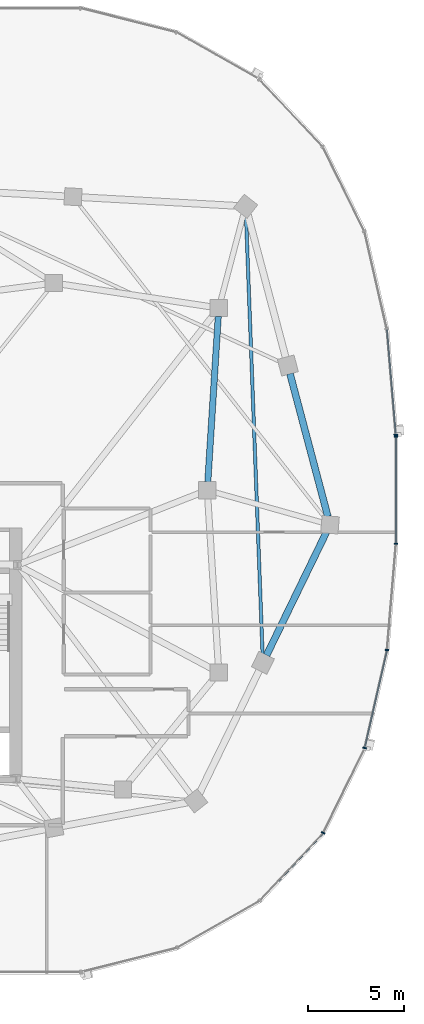
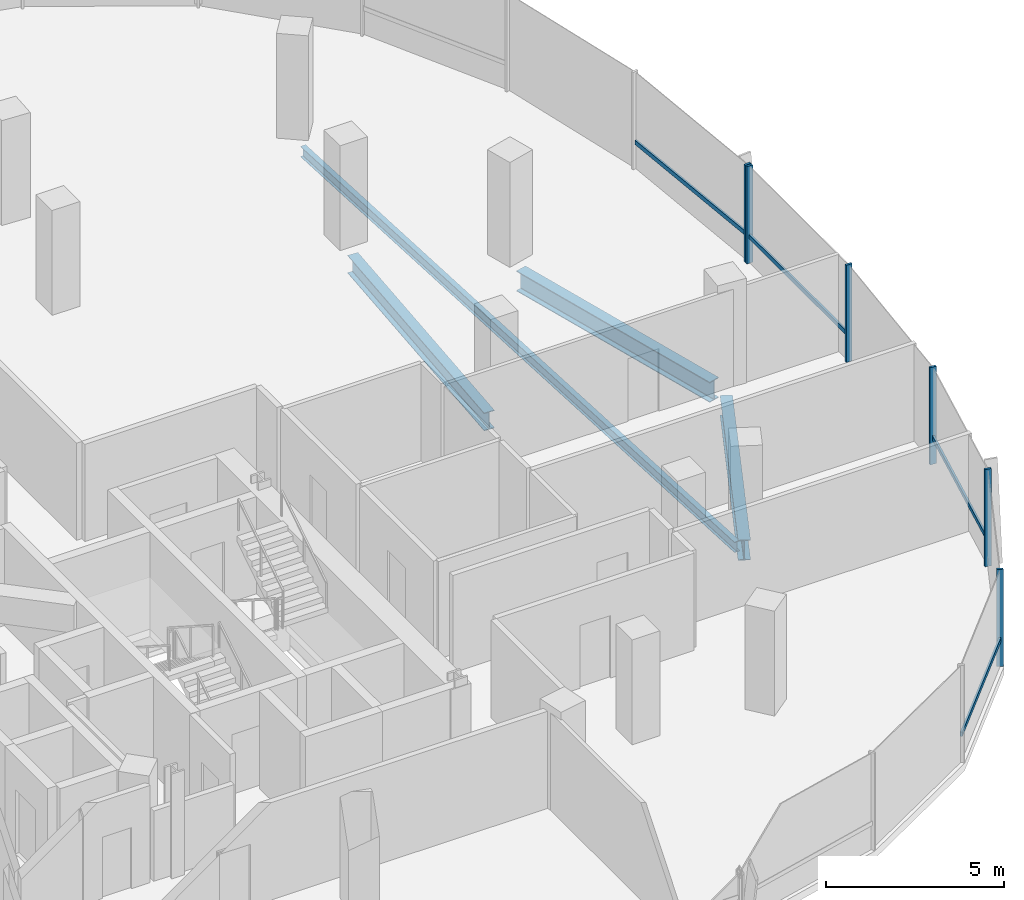
# One storey, part 10 of 25: 10 members, 4 beams, 2 elements without a shape of their own.
"""IFC4 building model written with IfcOpenShell, lengths in metres."""

from ifc_helpers import new_model, si_unit, direction, frame, origin, origin_2d, place, context, subcontext, project, spatial, rectangle, i_section, extrude, material, material_profile, profile_set, type_object, element, aggregate, save


model = new_model("IFC4")

# Units and contexts
model_context = context("Model", 3, precision=1e-05, world=origin(), true_north=direction((0.0, 1.0)))
body_context = subcontext(model_context, "Body", "Model", "MODEL_VIEW")
ifc_project = project(units=[si_unit("LENGTHUNIT", "METRE"), si_unit("AREAUNIT", "SQUARE_METRE"), si_unit("VOLUMEUNIT", "CUBIC_METRE"), si_unit("PLANEANGLEUNIT", "RADIAN"), si_unit("MASSUNIT", "GRAM", prefix="KILO"), si_unit("THERMODYNAMICTEMPERATUREUNIT", "KELVIN"), si_unit("POWERUNIT", "WATT")], contexts=[model_context])

# Site, building, storey
site_placement = place(None, origin())
site = spatial("IfcSite", under=ifc_project, at=site_placement, CompositionType="ELEMENT")
building_placement = place(site_placement, origin())
building = spatial("IfcBuilding", under=site, at=building_placement, Name="Cundina Bronze Exchange", CompositionType="ELEMENT")
storey_placement = place(building_placement, frame((0.0, 0.0, 199.0)))
storey = spatial("IfcBuildingStorey", under=building, at=storey_placement, Name="L52", CompositionType="ELEMENT", Elevation=199.0)

# Beams
ifc_material_1 = material(Name="Steel ASTM A992 Grade 50", Category="steel")
ifc_material_profile_1 = material_profile(ifc_material_1, i_section(OverallWidth=0.172119140625, OverallDepth=0.35791015625, WebThickness=0.0078125, FlangeThickness=0.01318359375, FilletRadius=0.010009765625, at=origin_2d()), Name="W14X38", Category="steel")
ifc_profile_set_1 = profile_set([ifc_material_profile_1], Name="Steel ASTM A992 Grade 50")
beam_type_1 = type_object("IfcBeamType", Name="BM-JST-W14", PredefinedType="JOIST", material=ifc_profile_set_1)
beam_1_placement = place(storey_placement, frame((44.08349609375, -8.562255859375, -0.43896484375), z_axis=(-0.037790216102, 0.999285694667, 0.0), x_axis=(-0.999285694667, -0.037790216102, 0.0)))
element("IfcBeam", 1, at=beam_1_placement, inside=storey, type_object=beam_type_1, Name="L52 Leg E Lobe Floor Joist 07-10", PredefinedType="JOIST", context=body_context, shape_type="SweptSolid", body=[
    extrude(i_section(OverallWidth=0.172119140625, OverallDepth=0.35791015625, WebThickness=0.0078125, FlangeThickness=0.01318359375, FilletRadius=0.010009765625, at=origin_2d()), origin(), (0.0, 0.0, 1.0), 22.94091796875),
])
ifc_material_profile_2 = material_profile(ifc_material_1, i_section(OverallWidth=0.324951171875, OverallDepth=0.615966796875, WebThickness=0.013916015625, FlangeThickness=0.021484375, FilletRadius=0.01611328125, at=origin_2d()), Name="W24X117", Category="steel")
ifc_profile_set_2 = profile_set([ifc_material_profile_2], Name="Steel ASTM A992 Grade 50")
beam_type_2 = type_object("IfcBeamType", Name="BM-RING-W24", PredefinedType="USERDEFINED", material=ifc_profile_set_2)
beam_2_placement = place(storey_placement, frame((41.2275390625, 0.43701171875, -0.568115234375), z_axis=(0.063046519736, 0.998010589297, 0.0), x_axis=(-0.998010589297, 0.063046519736, 0.0)))
element("IfcBeam", 2, at=beam_2_placement, inside=storey, type_object=beam_type_2, Name="L52 E Inner Structural Ring Girder 04", ObjectType="GIRDER", PredefinedType="USERDEFINED", context=body_context, shape_type="SweptSolid", body=[
    extrude(i_section(OverallWidth=0.324951171875, OverallDepth=0.615966796875, WebThickness=0.013916015625, FlangeThickness=0.021484375, FilletRadius=0.01611328125, at=origin_2d()), origin(), (0.0, 0.0, 1.0), 8.64306640625),
])
ifc_material_profile_3 = material_profile(ifc_material_1, i_section(OverallWidth=0.35498046875, OverallDepth=0.695068359375, WebThickness=0.015380859375, FlangeThickness=0.02490234375, FilletRadius=0.01806640625, at=origin_2d()), Name="W27X146", Category="steel")
ifc_profile_set_3 = profile_set([ifc_material_profile_3], Name="Steel ASTM A992 Grade 50")
beam_type_3 = type_object("IfcBeamType", Name="BM-RING-W27", PredefinedType="USERDEFINED", material=ifc_profile_set_3)
beam_3_placement = place(storey_placement, frame((44.29150390625, -8.606201171875, -0.607421875), z_axis=(0.437173087764, 0.89937739094, 0.0), x_axis=(-0.89937739094, 0.437173087764, 0.0)))
element("IfcBeam", 3, at=beam_3_placement, inside=storey, type_object=beam_type_3, Name="L52 E Perimeter Ring Girder 07", ObjectType="GIRDER", PredefinedType="USERDEFINED", context=body_context, shape_type="SweptSolid", body=[
    extrude(i_section(OverallWidth=0.35498046875, OverallDepth=0.695068359375, WebThickness=0.015380859375, FlangeThickness=0.02490234375, FilletRadius=0.01806640625, at=origin_2d()), origin(), (0.0, 0.0, 1.0), 7.1298828125),
])
beam_4_placement = place(storey_placement, frame((47.48779296875, -1.376708984375, -0.607421875), z_axis=(-0.256211934474, 0.966620631185, 0.0), x_axis=(-0.966620631185, -0.256211934474, 0.0)))
element("IfcBeam", 4, at=beam_4_placement, inside=storey, type_object=beam_type_3, Name="L52 E Perimeter Ring Girder 08", ObjectType="GIRDER", PredefinedType="USERDEFINED", context=body_context, shape_type="SweptSolid", body=[
    extrude(i_section(OverallWidth=0.35498046875, OverallDepth=0.695068359375, WebThickness=0.015380859375, FlangeThickness=0.02490234375, FilletRadius=0.01806640625, at=origin_2d()), origin(), (0.0, 0.0, 1.0), 7.710693359375),
])

# Curtain wall, member
ifc_material_2 = material(Name="Anodised Bronze Aluminium 6063-T6", Category="aluminium")
curtain_wall_type = type_object("IfcCurtainWallType", Name="CWS-UPP-OFF", PredefinedType="NOTDEFINED", material=ifc_material_2)
curtain_wall_1_placement = place(storey_placement, origin())
curtain_wall_1 = element("IfcCurtainWall", 5, at=curtain_wall_1_placement, inside=storey, type_object=curtain_wall_type, Name="L52 CW-05 Curtain Wall Run CWR-L52-E1", PredefinedType="NOTDEFINED")
ifc_material_profile_4 = material_profile(ifc_material_2, rectangle(XDim=0.070068359375, YDim=0.18994140625, at=origin_2d()), Name="AL70X190", Category="aluminium")
ifc_profile_set_4 = profile_set([ifc_material_profile_4], Name="Anodised Bronze Aluminium 6063-T6")
member_type_1 = type_object("IfcMemberType", Name="CWM-MUL-190", PredefinedType="MULLION", material=ifc_profile_set_4)
member_1_placement = place(storey_placement, frame((51.0302734375, 2.88330078125, 0.0), z_axis=(0.0, 0.0, 1.0), x_axis=(-0.083677843332, 0.99649285925, 0.0)))
member_1 = element("IfcMember", 6, at=member_1_placement, type_object=member_type_1, Name="CW-05 Mullion 1", PredefinedType="MULLION", context=body_context, shape_type="SweptSolid", body=[
    extrude(rectangle(XDim=0.070068359375, YDim=0.18994140625, at=origin_2d()), origin(), (0.0, 0.0, 1.0), 3.340087890625),
])

# Curtain wall, members
curtain_wall_2_placement = place(storey_placement, origin())
curtain_wall_2 = element("IfcCurtainWall", 7, at=curtain_wall_2_placement, inside=storey, type_object=curtain_wall_type, Name="L52 CW-05 Curtain Wall Run CWR-L52-E4", PredefinedType="NOTDEFINED")
member_2_placement = place(storey_placement, frame((47.245361328125, -17.866455078125, 0.0), z_axis=(0.0, 0.0, 1.0), x_axis=(0.440566004113, 0.897720221461, 0.0)))
member_2 = element("IfcMember", 8, at=member_2_placement, type_object=member_type_1, Name="CW-05 Mullion 4", PredefinedType="MULLION", context=body_context, shape_type="SweptSolid", body=[
    extrude(rectangle(XDim=0.070068359375, YDim=0.18994140625, at=origin_2d()), origin(), (0.0, 0.0, 1.0), 3.340087890625),
])
member_3_placement = place(storey_placement, frame((49.40771484375, -13.440673828125, 0.0), z_axis=(0.0, 0.0, 1.0), x_axis=(0.223250116011, 0.974761194191, 0.0)))
member_3 = element("IfcMember", 9, at=member_3_placement, type_object=member_type_1, Name="CW-05 Mullion 5", PredefinedType="MULLION", context=body_context, shape_type="SweptSolid", body=[
    extrude(rectangle(XDim=0.070068359375, YDim=0.18994140625, at=origin_2d()), origin(), (0.0, 0.0, 1.0), 3.340087890625),
])
member_4_placement = place(storey_placement, frame((50.572509765625, -8.33056640625, 0.0), z_axis=(0.0, 0.0, 1.0), x_axis=(0.083677843332, 0.99649285925, 0.0)))
member_4 = element("IfcMember", 10, at=member_4_placement, type_object=member_type_1, Name="CW-05 Mullion 6", PredefinedType="MULLION", context=body_context, shape_type="SweptSolid", body=[
    extrude(rectangle(XDim=0.070068359375, YDim=0.18994140625, at=origin_2d()), origin(), (0.0, 0.0, 1.0), 3.340087890625),
])
member_5_placement = place(storey_placement, frame((51.033935546875, -2.794921875, 0.0), z_axis=(0.0, 0.0, 1.0), x_axis=(0.0, 1.0, 0.0)))
member_5 = element("IfcMember", 11, at=member_5_placement, type_object=member_type_1, Name="CW-05 Mullion 7", PredefinedType="MULLION", context=body_context, shape_type="SweptSolid", body=[
    extrude(rectangle(XDim=0.070068359375, YDim=0.18994140625, at=origin_2d()), origin(), (0.0, 0.0, 1.0), 3.340087890625),
])
member_6_placement = place(storey_placement, frame((51.033935546875, 2.794921875, 0.0), z_axis=(0.0, 0.0, 1.0), x_axis=(0.0, 1.0, 0.0)))
member_6 = element("IfcMember", 12, at=member_6_placement, type_object=member_type_1, Name="CW-05 End Mullion", PredefinedType="MULLION", context=body_context, shape_type="SweptSolid", body=[
    extrude(rectangle(XDim=0.070068359375, YDim=0.18994140625, at=origin_2d()), origin(), (0.0, 0.0, 1.0), 3.340087890625),
])

# Member
ifc_material_profile_5 = material_profile(ifc_material_2, rectangle(XDim=0.06494140625, YDim=0.14990234375, at=origin_2d()), Name="AL65X150", Category="aluminium")
ifc_profile_set_5 = profile_set([ifc_material_profile_5], Name="Anodised Bronze Aluminium 6063-T6")
member_type_2 = type_object("IfcMemberType", Name="CWM-TRN-150", PredefinedType="USERDEFINED", material=ifc_profile_set_5)
member_7_placement = place(storey_placement, frame((51.027099609375, 2.921630859375, 0.919921875), z_axis=(-0.083740331158, 0.996487610027, 0.0), x_axis=(-0.996487610027, -0.083740331158, 0.0)))
member_7 = element("IfcMember", 13, at=member_7_placement, type_object=member_type_2, Name="CW-05 Spandrel Transom 1", ObjectType="TRANSOM", PredefinedType="USERDEFINED", context=body_context, shape_type="SweptSolid", body=[
    extrude(rectangle(XDim=0.06494140625, YDim=0.14990234375, at=origin_2d()), origin(), (0.0, 0.0, 1.0), 5.466552734375),
])

aggregate(curtain_wall_1, [member_1, member_7])

member_8_placement = place(storey_placement, frame((43.97509765625, -21.364501953125, 0.919921875), z_axis=(0.684336416554, 0.729166420633, 0.0), x_axis=(-0.729166420633, 0.684336416554, 0.0)))
member_8 = element("IfcMember", 14, at=member_8_placement, type_object=member_type_2, Name="CW-05 Spandrel Transom 3", ObjectType="TRANSOM", PredefinedType="USERDEFINED", context=body_context, shape_type="SweptSolid", body=[
    extrude(rectangle(XDim=0.06494140625, YDim=0.14990234375, at=origin_2d()), origin(), (0.0, 0.0, 1.0), 4.76513671875),
])

member_9_placement = place(storey_placement, frame((49.41650390625, -13.403076171875, 0.919921875), z_axis=(0.22328343579, 0.974753562344, 0.0), x_axis=(-0.974753562344, 0.22328343579, 0.0)))
member_9 = element("IfcMember", 15, at=member_9_placement, type_object=member_type_2, Name="CW-05 Spandrel Transom 5", ObjectType="TRANSOM", PredefinedType="USERDEFINED", context=body_context, shape_type="SweptSolid", body=[
    extrude(rectangle(XDim=0.06494140625, YDim=0.14990234375, at=origin_2d()), origin(), (0.0, 0.0, 1.0), 5.159912109375),
])

member_10_placement = place(storey_placement, frame((51.033935546875, -2.756591796875, 0.919921875), z_axis=(0.0, 1.0, 0.0), x_axis=(-1.0, 0.0, 0.0)))
member_10 = element("IfcMember", 16, at=member_10_placement, type_object=member_type_2, Name="CW-05 Spandrel Transom 7", ObjectType="TRANSOM", PredefinedType="USERDEFINED", context=body_context, shape_type="SweptSolid", body=[
    extrude(rectangle(XDim=0.06494140625, YDim=0.14990234375, at=origin_2d()), origin(), (0.0, 0.0, 1.0), 5.51318359375),
])

aggregate(curtain_wall_2, [member_8, member_2, member_3, member_9, member_4, member_5, member_6, member_10])

save(model, "model.ifc")
